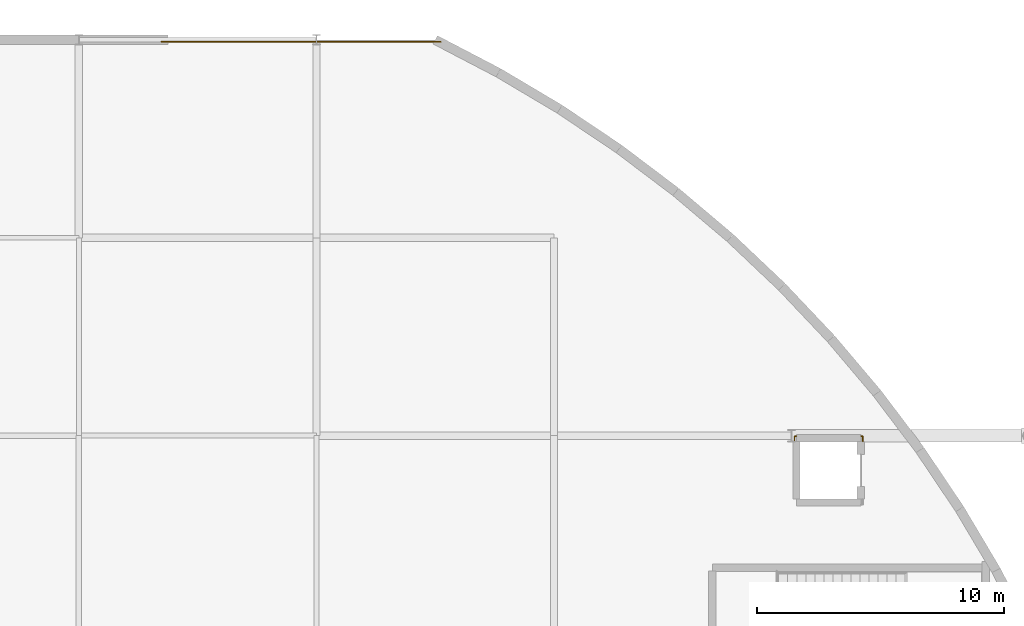
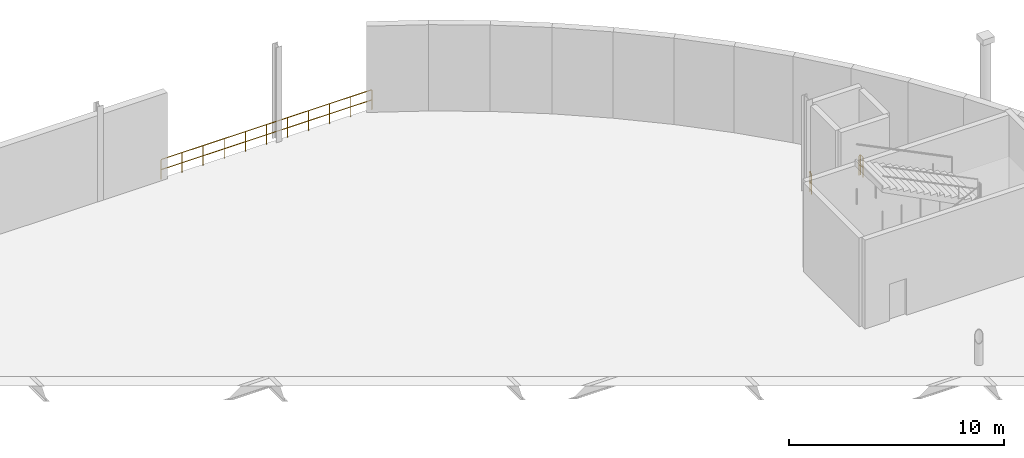
# One storey, part 129 of 129: 3 railings.
"""IFC4 building model written with IfcOpenShell, lengths in metres."""

from ifc_helpers import new_model, si_unit, direction, frame, origin, origin_2d, place, context, subcontext, project, spatial, circle, extrude, material, type_object, element, save


model = new_model("IFC4")

# Units and contexts
model_context = context("Model", 3, precision=1e-05, world=origin(), true_north=direction((0.0, 1.0)))
body_context = subcontext(model_context, "Body", "Model", "MODEL_VIEW")
ifc_project = project(units=[si_unit("LENGTHUNIT", "METRE"), si_unit("AREAUNIT", "SQUARE_METRE"), si_unit("VOLUMEUNIT", "CUBIC_METRE"), si_unit("PLANEANGLEUNIT", "RADIAN"), si_unit("MASSUNIT", "GRAM", prefix="KILO")], contexts=[model_context])

# Site, building, storey
site_placement = place(None, origin())
site = spatial("IfcSite", under=ifc_project, at=site_placement, CompositionType="ELEMENT")
building_placement = place(site_placement, origin())
building = spatial("IfcBuilding", under=site, at=building_placement, Name="Danafjord Basin Convention Centre", CompositionType="ELEMENT")
storey_placement = place(building_placement, frame((0.0, 0.0, 6.0)))
storey = spatial("IfcBuildingStorey", under=building, at=storey_placement, Name="L01", CompositionType="ELEMENT", Elevation=6.0)

# Railings
ifc_material_1 = material(Name="Laminated structural glass and stainless steel", Category="steel")
railing_type_1 = type_object("IfcRailingType", Name="RL-BAL-GLS", PredefinedType="BALUSTRADE", material=ifc_material_1)
railing_1_placement = place(storey_placement, frame((166.52001953125, 143.919921875, 0.0)))
element("IfcRailing", 1, at=railing_1_placement, inside=storey, type_object=railing_type_1, Name="L01 safety guard balustrade 14", PredefinedType="BALUSTRADE", context=body_context, shape_type="SweptSolid", body=[
    extrude(circle(Radius=0.02392578125, at=origin_2d()), frame((0.0, 0.0, 1.1259765625), z_axis=(1.0, 0.0, 0.0), x_axis=(0.0, 1.0, 0.0)), (0.0, 0.0, 1.0), 11.31787109375),
    extrude(circle(Radius=0.02392578125, at=origin_2d()), frame((0.0, 0.0, 0.55078125), z_axis=(1.0, 0.0, 0.0), x_axis=(0.0, 1.0, 0.0)), (0.0, 0.0, 1.0), 11.31787109375),
    extrude(circle(Radius=0.02099609375, at=origin_2d()), origin(), (0.0, 0.0, 1.0), 1.099853515625),
    extrude(circle(Radius=0.02099609375, at=origin_2d()), frame((1.1318359375, 0.0, 0.0)), (0.0, 0.0, 1.0), 1.099853515625),
    extrude(circle(Radius=0.02099609375, at=origin_2d()), frame((2.263671875, 0.0, 0.0)), (0.0, 0.0, 1.0), 1.099853515625),
    extrude(circle(Radius=0.02099609375, at=origin_2d()), frame((3.395263671875, 0.0, 0.0)), (0.0, 0.0, 1.0), 1.099853515625),
    extrude(circle(Radius=0.02099609375, at=origin_2d()), frame((4.527099609375, 0.0, 0.0)), (0.0, 0.0, 1.0), 1.099853515625),
    extrude(circle(Radius=0.02099609375, at=origin_2d()), frame((5.658935546875, 0.0, 0.0)), (0.0, 0.0, 1.0), 1.099853515625),
    extrude(circle(Radius=0.02099609375, at=origin_2d()), frame((6.790771484375, 0.0, 0.0)), (0.0, 0.0, 1.0), 1.099853515625),
    extrude(circle(Radius=0.02099609375, at=origin_2d()), frame((7.922607421875, 0.0, 0.0)), (0.0, 0.0, 1.0), 1.099853515625),
    extrude(circle(Radius=0.02099609375, at=origin_2d()), frame((9.05419921875, 0.0, 0.0)), (0.0, 0.0, 1.0), 1.099853515625),
    extrude(circle(Radius=0.02099609375, at=origin_2d()), frame((10.18603515625, 0.0, 0.0)), (0.0, 0.0, 1.0), 1.099853515625),
    extrude(circle(Radius=0.02099609375, at=origin_2d()), frame((11.31787109375, 0.0, 0.0)), (0.0, 0.0, 1.0), 1.099853515625),
])
railing_2_placement = place(storey_placement, frame((194.8798828125, 127.764892578125, 0.0)))
element("IfcRailing", 2, at=railing_2_placement, inside=storey, type_object=railing_type_1, Name="L01 safety guard balustrade 72", PredefinedType="BALUSTRADE", context=body_context, shape_type="SweptSolid", body=[
    extrude(circle(Radius=0.02392578125, at=origin_2d()), frame((0.0, 0.0, 1.1259765625), z_axis=(0.0, 1.0, 0.0), x_axis=(-1.0, 0.0, 0.0)), (0.0, 0.0, 1.0), 0.215087890625),
    extrude(circle(Radius=0.02392578125, at=origin_2d()), frame((0.0, 0.0, 0.55078125), z_axis=(0.0, 1.0, 0.0), x_axis=(-1.0, 0.0, 0.0)), (0.0, 0.0, 1.0), 0.215087890625),
    extrude(circle(Radius=0.02392578125, at=origin_2d()), frame((0.0, 0.215087890625, 1.1259765625), z_axis=(-1.0, 0.0, 0.0), x_axis=(0.0, -1.0, 0.0)), (0.0, 0.0, 1.0), 0.079833984375),
    extrude(circle(Radius=0.02392578125, at=origin_2d()), frame((0.0, 0.215087890625, 0.55078125), z_axis=(-1.0, 0.0, 0.0), x_axis=(0.0, -1.0, 0.0)), (0.0, 0.0, 1.0), 0.079833984375),
    extrude(circle(Radius=0.02099609375, at=origin_2d()), origin(), (0.0, 0.0, 1.0), 1.099853515625),
    extrude(circle(Radius=0.02099609375, at=origin_2d()), frame((0.0, 0.215087890625, 0.0)), (0.0, 0.0, 1.0), 1.099853515625),
    extrude(circle(Radius=0.02099609375, at=origin_2d()), frame((-0.079833984375, 0.215087890625, 0.0)), (0.0, 0.0, 1.0), 1.099853515625),
])
ifc_material_2 = material(Name="Galvanised and powder-coated steel S355", Category="steel")
railing_type_2 = type_object("IfcRailingType", Name="RL-BAL-STL", PredefinedType="BALUSTRADE", material=ifc_material_2)
railing_3_placement = place(storey_placement, frame((192.199951171875, 127.97998046875, 0.0)))
element("IfcRailing", 3, at=railing_3_placement, inside=storey, type_object=railing_type_2, Name="L01 safety guard balustrade 73", PredefinedType="BALUSTRADE", context=body_context, shape_type="SweptSolid", body=[
    extrude(circle(Radius=0.02392578125, at=origin_2d()), frame((0.0, 0.0, 1.1259765625), z_axis=(-1.0, 0.0, 0.0), x_axis=(0.0, -1.0, 0.0)), (0.0, 0.0, 1.0), 0.079833984375),
    extrude(circle(Radius=0.02392578125, at=origin_2d()), frame((0.0, 0.0, 0.55078125), z_axis=(-1.0, 0.0, 0.0), x_axis=(0.0, -1.0, 0.0)), (0.0, 0.0, 1.0), 0.079833984375),
    extrude(circle(Radius=0.02392578125, at=origin_2d()), frame((-0.079833984375, 0.0, 1.1259765625), z_axis=(0.0, -1.0, 0.0), x_axis=(1.0, 0.0, 0.0)), (0.0, 0.0, 1.0), 0.215087890625),
    extrude(circle(Radius=0.02392578125, at=origin_2d()), frame((-0.079833984375, 0.0, 0.55078125), z_axis=(0.0, -1.0, 0.0), x_axis=(1.0, 0.0, 0.0)), (0.0, 0.0, 1.0), 0.215087890625),
    extrude(circle(Radius=0.02099609375, at=origin_2d()), origin(), (0.0, 0.0, 1.0), 1.099853515625),
    extrude(circle(Radius=0.02099609375, at=origin_2d()), frame((-0.079833984375, 0.0, 0.0)), (0.0, 0.0, 1.0), 1.099853515625),
    extrude(circle(Radius=0.02099609375, at=origin_2d()), frame((-0.079833984375, -0.215087890625, 0.0)), (0.0, 0.0, 1.0), 1.099853515625),
])

save(model, "model.ifc")
